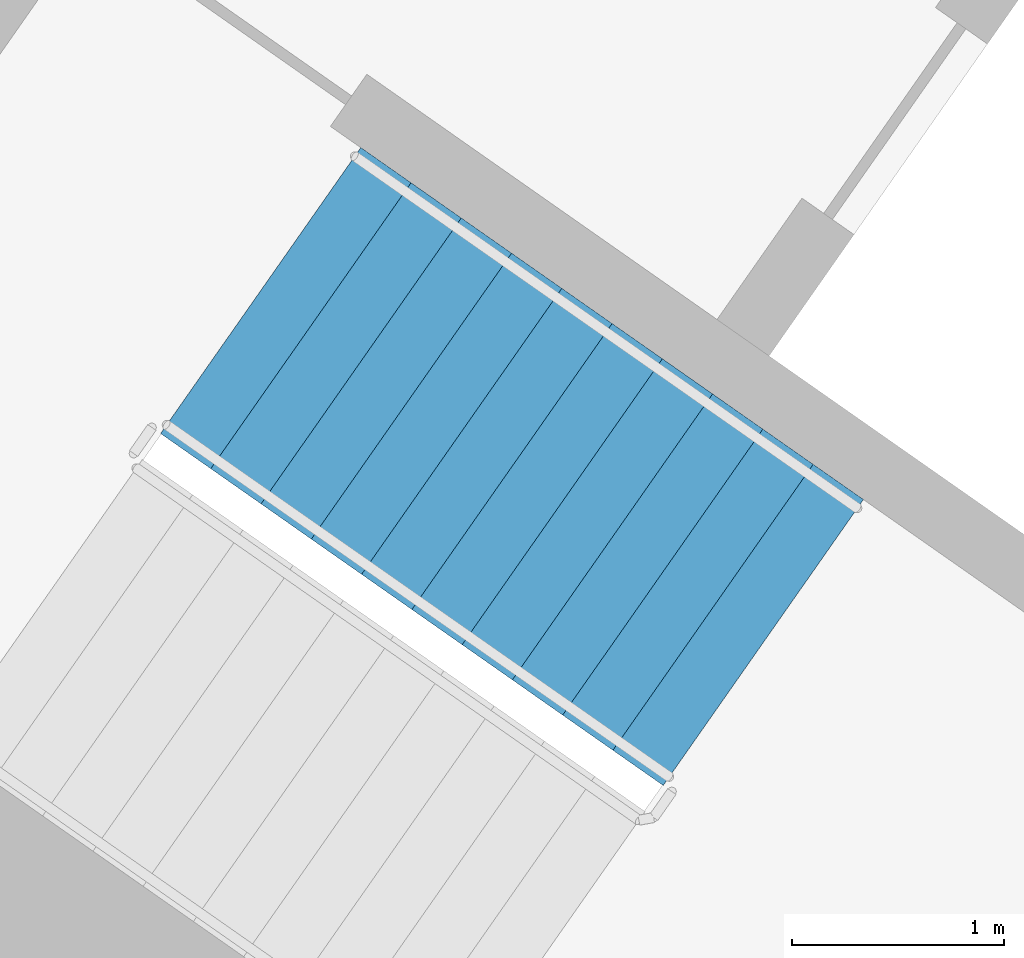
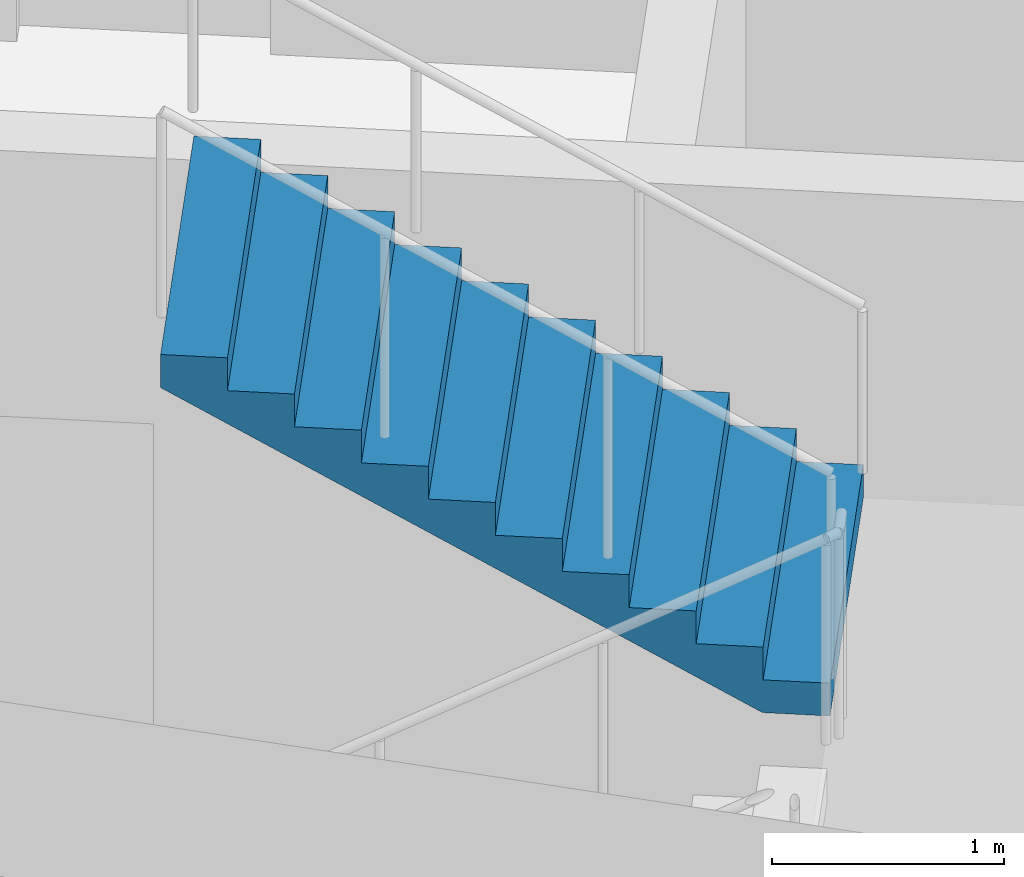
# One storey, part 11 of 29: 1 stair flight, 1 element without a shape of its own.
"""IFC4 building model written with IfcOpenShell, lengths in metres."""

from ifc_helpers import new_model, si_unit, direction, frame, origin, place, context, subcontext, project, spatial, faceted_brep, material, type_object, element, aggregate, save


model = new_model("IFC4")

# Units and contexts
model_context = context("Model", 3, precision=1e-05, world=origin(), true_north=direction((0.0, 1.0)))
body_context = subcontext(model_context, "Body", "Model", "MODEL_VIEW")
ifc_project = project(units=[si_unit("LENGTHUNIT", "METRE"), si_unit("AREAUNIT", "SQUARE_METRE"), si_unit("VOLUMEUNIT", "CUBIC_METRE"), si_unit("PLANEANGLEUNIT", "RADIAN"), si_unit("MASSUNIT", "GRAM", prefix="KILO")], contexts=[model_context])

# Site, building, storey
site_placement = place(None, origin())
site = spatial("IfcSite", under=ifc_project, at=site_placement, CompositionType="ELEMENT")
building_placement = place(site_placement, origin())
building = spatial("IfcBuilding", under=site, at=building_placement, Name="Qamariyya Broadcast Tower", CompositionType="ELEMENT")
storey_placement = place(building_placement, frame((0.0, 0.0, 106.300048828125)))
storey = spatial("IfcBuildingStorey", under=building, at=storey_placement, Name="L23", CompositionType="ELEMENT", Elevation=106.300048828125)

# Stair, stair flight
ifc_material = material(Name="Concrete C50/60", Category="concrete")
stair_type = type_object("IfcStairType", Name="Exit stair 22 risers of 173 mm", PredefinedType="HALF_TURN_STAIR", material=ifc_material)
stair_placement = place(storey_placement, origin())
stair = element("IfcStair", 1, at=stair_placement, inside=storey, type_object=stair_type, Name="L23 Stair W1", PredefinedType="HALF_TURN_STAIR")
stair_flight_type = type_object("IfcStairFlightType", Name="Exit stair flight 11 risers of 173 mm", PredefinedType="STRAIGHT", material=ifc_material)
stair_flight_placement = place(storey_placement, frame((-43.660888671875, -57.17138671875, 1.89990234375), z_axis=(0.0, 0.0, 1.0), x_axis=(-0.819152044289, 0.573576436351, 0.0)))
stair_flight = element("IfcStairFlight", 2, at=stair_flight_placement, type_object=stair_flight_type, Name="ST-W1 flight 2", NumberOfRisers=11, NumberOfTreads=10, PredefinedType="STRAIGHT", RiserHeight=0.172727273, TreadLength=0.29, context=body_context, shape_type="Brep", body=[
    faceted_brep([(0.0, 0.824951171875, 0.0), (0.0, 0.824951171875, 0.172607421875), (0.2900390625, 0.824951171875, 0.172607421875), (0.2900390625, 0.824951171875, 0.345458984375), (0.580078125, 0.824951171875, 0.345458984375), (0.580078125, 0.824951171875, 0.51806640625), (0.8701171875, 0.824951171875, 0.51806640625), (0.8701171875, 0.824951171875, 0.69091796875), (1.159912109375, 0.824951171875, 0.69091796875), (1.159912109375, 0.824951171875, 0.863525390625), (1.449951171875, 0.824951171875, 0.863525390625), (1.449951171875, 0.824951171875, 1.036376953125), (1.739990234375, 0.824951171875, 1.036376953125), (1.739990234375, 0.824951171875, 1.208984375), (2.030029296875, 0.824951171875, 1.208984375), (2.030029296875, 0.824951171875, 1.3818359375), (2.320068359375, 0.824951171875, 1.3818359375), (2.320068359375, 0.824951171875, 1.554443359375), (2.610107421875, 0.824951171875, 1.554443359375), (2.610107421875, 0.824951171875, 1.727294921875), (2.89990234375, 0.824951171875, 1.727294921875), (2.89990234375, 0.824951171875, 1.552734375), (0.29296875, 0.824951171875, 0.0), (0.29296875, -0.824951171875, 0.0), (2.89990234375, -0.824951171875, 1.552734375), (2.89990234375, -0.824951171875, 1.727294921875), (2.610107421875, -0.824951171875, 1.727294921875), (2.610107421875, -0.824951171875, 1.554443359375), (2.320068359375, -0.824951171875, 1.554443359375), (2.320068359375, -0.824951171875, 1.3818359375), (2.030029296875, -0.824951171875, 1.3818359375), (2.030029296875, -0.824951171875, 1.208984375), (1.739990234375, -0.824951171875, 1.208984375), (1.739990234375, -0.824951171875, 1.036376953125), (1.449951171875, -0.824951171875, 1.036376953125), (1.449951171875, -0.824951171875, 0.863525390625), (1.159912109375, -0.824951171875, 0.863525390625), (1.159912109375, -0.824951171875, 0.69091796875), (0.8701171875, -0.824951171875, 0.69091796875), (0.8701171875, -0.824951171875, 0.51806640625), (0.580078125, -0.824951171875, 0.51806640625), (0.580078125, -0.824951171875, 0.345458984375), (0.2900390625, -0.824951171875, 0.345458984375), (0.2900390625, -0.824951171875, 0.172607421875), (0.0, -0.824951171875, 0.172607421875), (0.0, -0.824951171875, 0.0), (0.0, 0.10009765625, 0.0), (0.0, 0.086669921875, 0.0), (0.0, 0.0732421875, 0.0), (0.0, 0.06005859375, 0.0), (0.0, 0.046630859375, 0.0), (0.0, 0.033447265625, 0.0), (0.0, 0.02001953125, 0.0), (0.0, 0.006591796875, 0.0), (0.0, -0.006591796875, 0.0), (0.0, -0.02001953125, 0.0), (0.0, -0.033447265625, 0.0), (0.0, -0.046630859375, 0.0), (0.0, -0.06005859375, 0.0), (0.0, -0.0732421875, 0.0), (0.0, -0.086669921875, 0.0), (0.0, -0.10009765625, 0.0), (0.0, -0.10009765625, 0.172607421875), (0.0, -0.086669921875, 0.172607421875), (0.0, -0.0732421875, 0.172607421875), (0.0, -0.06005859375, 0.172607421875), (0.0, -0.046630859375, 0.172607421875), (0.0, -0.033447265625, 0.172607421875), (0.0, -0.02001953125, 0.172607421875), (0.0, -0.006591796875, 0.172607421875), (0.0, 0.006591796875, 0.172607421875), (0.0, 0.02001953125, 0.172607421875), (0.0, 0.033447265625, 0.172607421875), (0.0, 0.046630859375, 0.172607421875), (0.0, 0.06005859375, 0.172607421875), (0.0, 0.0732421875, 0.172607421875), (0.0, 0.086669921875, 0.172607421875), (0.0, 0.10009765625, 0.172607421875), (0.2900390625, -0.10009765625, 0.172607421875), (0.2900390625, -0.086669921875, 0.172607421875), (0.2900390625, -0.0732421875, 0.172607421875), (0.2900390625, -0.06005859375, 0.172607421875), (0.2900390625, -0.046630859375, 0.172607421875), (0.2900390625, -0.033447265625, 0.172607421875), (0.2900390625, -0.02001953125, 0.172607421875), (0.2900390625, -0.006591796875, 0.172607421875), (0.2900390625, 0.006591796875, 0.172607421875), (0.2900390625, 0.02001953125, 0.172607421875), (0.2900390625, 0.033447265625, 0.172607421875), (0.2900390625, 0.046630859375, 0.172607421875), (0.2900390625, 0.06005859375, 0.172607421875), (0.2900390625, 0.0732421875, 0.172607421875), (0.2900390625, 0.086669921875, 0.172607421875), (0.2900390625, 0.10009765625, 0.172607421875), (0.2900390625, -0.10009765625, 0.345458984375), (0.2900390625, -0.086669921875, 0.345458984375), (0.2900390625, -0.0732421875, 0.345458984375), (0.2900390625, -0.06005859375, 0.345458984375), (0.2900390625, -0.046630859375, 0.345458984375), (0.2900390625, -0.033447265625, 0.345458984375), (0.2900390625, -0.02001953125, 0.345458984375), (0.2900390625, -0.006591796875, 0.345458984375), (0.2900390625, 0.006591796875, 0.345458984375), (0.2900390625, 0.02001953125, 0.345458984375), (0.2900390625, 0.033447265625, 0.345458984375), (0.2900390625, 0.046630859375, 0.345458984375), (0.2900390625, 0.06005859375, 0.345458984375), (0.2900390625, 0.0732421875, 0.345458984375), (0.2900390625, 0.086669921875, 0.345458984375), (0.2900390625, 0.10009765625, 0.345458984375), (0.580078125, -0.10009765625, 0.345458984375), (0.580078125, -0.086669921875, 0.345458984375), (0.580078125, -0.0732421875, 0.345458984375), (0.580078125, -0.06005859375, 0.345458984375), (0.580078125, -0.046630859375, 0.345458984375), (0.580078125, -0.033447265625, 0.345458984375), (0.580078125, -0.02001953125, 0.345458984375), (0.580078125, -0.006591796875, 0.345458984375), (0.580078125, 0.006591796875, 0.345458984375), (0.580078125, 0.02001953125, 0.345458984375), (0.580078125, 0.033447265625, 0.345458984375), (0.580078125, 0.046630859375, 0.345458984375), (0.580078125, 0.06005859375, 0.345458984375), (0.580078125, 0.0732421875, 0.345458984375), (0.580078125, 0.086669921875, 0.345458984375), (0.580078125, 0.10009765625, 0.345458984375), (0.580078125, -0.10009765625, 0.51806640625), (0.580078125, -0.086669921875, 0.51806640625), (0.580078125, -0.0732421875, 0.51806640625), (0.580078125, -0.06005859375, 0.51806640625), (0.580078125, -0.046630859375, 0.51806640625), (0.580078125, -0.033447265625, 0.51806640625), (0.580078125, -0.02001953125, 0.51806640625), (0.580078125, -0.006591796875, 0.51806640625), (0.580078125, 0.006591796875, 0.51806640625), (0.580078125, 0.02001953125, 0.51806640625), (0.580078125, 0.033447265625, 0.51806640625), (0.580078125, 0.046630859375, 0.51806640625), (0.580078125, 0.06005859375, 0.51806640625), (0.580078125, 0.0732421875, 0.51806640625), (0.580078125, 0.086669921875, 0.51806640625), (0.580078125, 0.10009765625, 0.51806640625), (0.8701171875, -0.10009765625, 0.51806640625), (0.8701171875, -0.086669921875, 0.51806640625), (0.8701171875, -0.0732421875, 0.51806640625), (0.8701171875, -0.06005859375, 0.51806640625), (0.8701171875, -0.046630859375, 0.51806640625), (0.8701171875, -0.033447265625, 0.51806640625), (0.8701171875, -0.02001953125, 0.51806640625), (0.8701171875, -0.006591796875, 0.51806640625), (0.8701171875, 0.006591796875, 0.51806640625), (0.8701171875, 0.02001953125, 0.51806640625), (0.8701171875, 0.033447265625, 0.51806640625), (0.8701171875, 0.046630859375, 0.51806640625), (0.8701171875, 0.06005859375, 0.51806640625), (0.8701171875, 0.0732421875, 0.51806640625), (0.8701171875, 0.086669921875, 0.51806640625), (0.8701171875, 0.10009765625, 0.51806640625), (0.8701171875, -0.10009765625, 0.69091796875), (0.8701171875, -0.086669921875, 0.69091796875), (0.8701171875, -0.0732421875, 0.69091796875), (0.8701171875, -0.06005859375, 0.69091796875), (0.8701171875, -0.046630859375, 0.69091796875), (0.8701171875, -0.033447265625, 0.69091796875), (0.8701171875, -0.02001953125, 0.69091796875), (0.8701171875, -0.006591796875, 0.69091796875), (0.8701171875, 0.006591796875, 0.69091796875), (0.8701171875, 0.02001953125, 0.69091796875), (0.8701171875, 0.033447265625, 0.69091796875), (0.8701171875, 0.046630859375, 0.69091796875), (0.8701171875, 0.06005859375, 0.69091796875), (0.8701171875, 0.0732421875, 0.69091796875), (0.8701171875, 0.086669921875, 0.69091796875), (0.8701171875, 0.10009765625, 0.69091796875), (1.159912109375, -0.10009765625, 0.69091796875), (1.159912109375, -0.086669921875, 0.69091796875), (1.159912109375, -0.0732421875, 0.69091796875), (1.159912109375, -0.06005859375, 0.69091796875), (1.159912109375, -0.046630859375, 0.69091796875), (1.159912109375, -0.033447265625, 0.69091796875), (1.159912109375, -0.02001953125, 0.69091796875), (1.159912109375, -0.006591796875, 0.69091796875), (1.159912109375, 0.006591796875, 0.69091796875), (1.159912109375, 0.02001953125, 0.69091796875), (1.159912109375, 0.033447265625, 0.69091796875), (1.159912109375, 0.046630859375, 0.69091796875), (1.159912109375, 0.06005859375, 0.69091796875), (1.159912109375, 0.0732421875, 0.69091796875), (1.159912109375, 0.086669921875, 0.69091796875), (1.159912109375, 0.10009765625, 0.69091796875), (1.159912109375, -0.10009765625, 0.863525390625), (1.159912109375, -0.086669921875, 0.863525390625), (1.159912109375, -0.0732421875, 0.863525390625), (1.159912109375, -0.06005859375, 0.863525390625), (1.159912109375, -0.046630859375, 0.863525390625), (1.159912109375, -0.033447265625, 0.863525390625), (1.159912109375, -0.02001953125, 0.863525390625), (1.159912109375, -0.006591796875, 0.863525390625), (1.159912109375, 0.006591796875, 0.863525390625), (1.159912109375, 0.02001953125, 0.863525390625), (1.159912109375, 0.033447265625, 0.863525390625), (1.159912109375, 0.046630859375, 0.863525390625), (1.159912109375, 0.06005859375, 0.863525390625), (1.159912109375, 0.0732421875, 0.863525390625), (1.159912109375, 0.086669921875, 0.863525390625), (1.159912109375, 0.10009765625, 0.863525390625), (1.449951171875, -0.10009765625, 0.863525390625), (1.449951171875, -0.086669921875, 0.863525390625), (1.449951171875, -0.0732421875, 0.863525390625), (1.449951171875, -0.06005859375, 0.863525390625), (1.449951171875, -0.046630859375, 0.863525390625), (1.449951171875, -0.033447265625, 0.863525390625), (1.449951171875, -0.02001953125, 0.863525390625), (1.449951171875, -0.006591796875, 0.863525390625), (1.449951171875, 0.006591796875, 0.863525390625), (1.449951171875, 0.02001953125, 0.863525390625), (1.449951171875, 0.033447265625, 0.863525390625), (1.449951171875, 0.046630859375, 0.863525390625), (1.449951171875, 0.06005859375, 0.863525390625), (1.449951171875, 0.0732421875, 0.863525390625), (1.449951171875, 0.086669921875, 0.863525390625), (1.449951171875, 0.10009765625, 0.863525390625), (1.449951171875, -0.10009765625, 1.036376953125), (1.449951171875, -0.086669921875, 1.036376953125), (1.449951171875, -0.0732421875, 1.036376953125), (1.449951171875, -0.06005859375, 1.036376953125), (1.449951171875, -0.046630859375, 1.036376953125), (1.449951171875, -0.033447265625, 1.036376953125), (1.449951171875, -0.02001953125, 1.036376953125), (1.449951171875, -0.006591796875, 1.036376953125), (1.449951171875, 0.006591796875, 1.036376953125), (1.449951171875, 0.02001953125, 1.036376953125), (1.449951171875, 0.033447265625, 1.036376953125), (1.449951171875, 0.046630859375, 1.036376953125), (1.449951171875, 0.06005859375, 1.036376953125), (1.449951171875, 0.0732421875, 1.036376953125), (1.449951171875, 0.086669921875, 1.036376953125), (1.449951171875, 0.10009765625, 1.036376953125), (1.739990234375, -0.10009765625, 1.036376953125), (1.739990234375, -0.086669921875, 1.036376953125), (1.739990234375, -0.0732421875, 1.036376953125), (1.739990234375, -0.06005859375, 1.036376953125), (1.739990234375, -0.046630859375, 1.036376953125), (1.739990234375, -0.033447265625, 1.036376953125), (1.739990234375, -0.02001953125, 1.036376953125), (1.739990234375, -0.006591796875, 1.036376953125), (1.739990234375, 0.006591796875, 1.036376953125), (1.739990234375, 0.02001953125, 1.036376953125), (1.739990234375, 0.033447265625, 1.036376953125), (1.739990234375, 0.046630859375, 1.036376953125), (1.739990234375, 0.06005859375, 1.036376953125), (1.739990234375, 0.0732421875, 1.036376953125), (1.739990234375, 0.086669921875, 1.036376953125), (1.739990234375, 0.10009765625, 1.036376953125), (1.739990234375, -0.10009765625, 1.208984375), (1.739990234375, -0.086669921875, 1.208984375), (1.739990234375, -0.0732421875, 1.208984375), (1.739990234375, -0.06005859375, 1.208984375), (1.739990234375, -0.046630859375, 1.208984375), (1.739990234375, -0.033447265625, 1.208984375), (1.739990234375, -0.02001953125, 1.208984375), (1.739990234375, -0.006591796875, 1.208984375), (1.739990234375, 0.006591796875, 1.208984375), (1.739990234375, 0.02001953125, 1.208984375), (1.739990234375, 0.033447265625, 1.208984375), (1.739990234375, 0.046630859375, 1.208984375), (1.739990234375, 0.06005859375, 1.208984375), (1.739990234375, 0.0732421875, 1.208984375), (1.739990234375, 0.086669921875, 1.208984375), (1.739990234375, 0.10009765625, 1.208984375), (2.030029296875, -0.10009765625, 1.208984375), (2.030029296875, -0.086669921875, 1.208984375), (2.030029296875, -0.0732421875, 1.208984375), (2.030029296875, -0.06005859375, 1.208984375), (2.030029296875, -0.046630859375, 1.208984375), (2.030029296875, -0.033447265625, 1.208984375), (2.030029296875, -0.02001953125, 1.208984375), (2.030029296875, -0.006591796875, 1.208984375), (2.030029296875, 0.006591796875, 1.208984375), (2.030029296875, 0.02001953125, 1.208984375), (2.030029296875, 0.033447265625, 1.208984375), (2.030029296875, 0.046630859375, 1.208984375), (2.030029296875, 0.06005859375, 1.208984375), (2.030029296875, 0.0732421875, 1.208984375), (2.030029296875, 0.086669921875, 1.208984375), (2.030029296875, 0.10009765625, 1.208984375), (2.030029296875, -0.10009765625, 1.3818359375), (2.030029296875, -0.086669921875, 1.3818359375), (2.030029296875, -0.0732421875, 1.3818359375), (2.030029296875, -0.06005859375, 1.3818359375), (2.030029296875, -0.046630859375, 1.3818359375), (2.030029296875, -0.033447265625, 1.3818359375), (2.030029296875, -0.02001953125, 1.3818359375), (2.030029296875, -0.006591796875, 1.3818359375), (2.030029296875, 0.006591796875, 1.3818359375), (2.030029296875, 0.02001953125, 1.3818359375), (2.030029296875, 0.033447265625, 1.3818359375), (2.030029296875, 0.046630859375, 1.3818359375), (2.030029296875, 0.06005859375, 1.3818359375), (2.030029296875, 0.0732421875, 1.3818359375), (2.030029296875, 0.086669921875, 1.3818359375), (2.030029296875, 0.10009765625, 1.3818359375), (2.320068359375, -0.10009765625, 1.3818359375), (2.320068359375, -0.086669921875, 1.3818359375), (2.320068359375, -0.0732421875, 1.3818359375), (2.320068359375, -0.06005859375, 1.3818359375), (2.320068359375, -0.046630859375, 1.3818359375), (2.320068359375, -0.033447265625, 1.3818359375), (2.320068359375, -0.02001953125, 1.3818359375), (2.320068359375, -0.006591796875, 1.3818359375), (2.320068359375, 0.006591796875, 1.3818359375), (2.320068359375, 0.02001953125, 1.3818359375), (2.320068359375, 0.033447265625, 1.3818359375), (2.320068359375, 0.046630859375, 1.3818359375), (2.320068359375, 0.06005859375, 1.3818359375), (2.320068359375, 0.0732421875, 1.3818359375), (2.320068359375, 0.086669921875, 1.3818359375), (2.320068359375, 0.10009765625, 1.3818359375), (2.320068359375, -0.10009765625, 1.554443359375), (2.320068359375, -0.086669921875, 1.554443359375), (2.320068359375, -0.0732421875, 1.554443359375), (2.320068359375, -0.06005859375, 1.554443359375), (2.320068359375, -0.046630859375, 1.554443359375), (2.320068359375, -0.033447265625, 1.554443359375), (2.320068359375, -0.02001953125, 1.554443359375), (2.320068359375, -0.006591796875, 1.554443359375), (2.320068359375, 0.006591796875, 1.554443359375), (2.320068359375, 0.02001953125, 1.554443359375), (2.320068359375, 0.033447265625, 1.554443359375), (2.320068359375, 0.046630859375, 1.554443359375), (2.320068359375, 0.06005859375, 1.554443359375), (2.320068359375, 0.0732421875, 1.554443359375), (2.320068359375, 0.086669921875, 1.554443359375), (2.320068359375, 0.10009765625, 1.554443359375), (2.610107421875, -0.10009765625, 1.554443359375), (2.610107421875, -0.086669921875, 1.554443359375), (2.610107421875, -0.0732421875, 1.554443359375), (2.610107421875, -0.06005859375, 1.554443359375), (2.610107421875, -0.046630859375, 1.554443359375), (2.610107421875, -0.033447265625, 1.554443359375), (2.610107421875, -0.02001953125, 1.554443359375), (2.610107421875, -0.006591796875, 1.554443359375), (2.610107421875, 0.006591796875, 1.554443359375), (2.610107421875, 0.02001953125, 1.554443359375), (2.610107421875, 0.033447265625, 1.554443359375), (2.610107421875, 0.046630859375, 1.554443359375), (2.610107421875, 0.06005859375, 1.554443359375), (2.610107421875, 0.0732421875, 1.554443359375), (2.610107421875, 0.086669921875, 1.554443359375), (2.610107421875, 0.10009765625, 1.554443359375), (2.610107421875, -0.10009765625, 1.727294921875), (2.610107421875, -0.086669921875, 1.727294921875), (2.610107421875, -0.0732421875, 1.727294921875), (2.610107421875, -0.06005859375, 1.727294921875), (2.610107421875, -0.046630859375, 1.727294921875), (2.610107421875, -0.033447265625, 1.727294921875), (2.610107421875, -0.02001953125, 1.727294921875), (2.610107421875, -0.006591796875, 1.727294921875), (2.610107421875, 0.006591796875, 1.727294921875), (2.610107421875, 0.02001953125, 1.727294921875), (2.610107421875, 0.033447265625, 1.727294921875), (2.610107421875, 0.046630859375, 1.727294921875), (2.610107421875, 0.06005859375, 1.727294921875), (2.610107421875, 0.0732421875, 1.727294921875), (2.610107421875, 0.086669921875, 1.727294921875), (2.610107421875, 0.10009765625, 1.727294921875), (2.89990234375, -0.10009765625, 1.727294921875), (2.89990234375, -0.086669921875, 1.727294921875), (2.89990234375, -0.0732421875, 1.727294921875), (2.89990234375, -0.06005859375, 1.727294921875), (2.89990234375, -0.046630859375, 1.727294921875), (2.89990234375, -0.033447265625, 1.727294921875), (2.89990234375, -0.02001953125, 1.727294921875), (2.89990234375, -0.006591796875, 1.727294921875), (2.89990234375, 0.006591796875, 1.727294921875), (2.89990234375, 0.02001953125, 1.727294921875), (2.89990234375, 0.033447265625, 1.727294921875), (2.89990234375, 0.046630859375, 1.727294921875), (2.89990234375, 0.06005859375, 1.727294921875), (2.89990234375, 0.0732421875, 1.727294921875), (2.89990234375, 0.086669921875, 1.727294921875), (2.89990234375, 0.10009765625, 1.727294921875), (2.89990234375, -0.10009765625, 1.552734375), (2.89990234375, -0.086669921875, 1.552734375), (2.89990234375, -0.0732421875, 1.552734375), (2.89990234375, -0.06005859375, 1.552734375), (2.89990234375, -0.046630859375, 1.552734375), (2.89990234375, -0.033447265625, 1.552734375), (2.89990234375, -0.02001953125, 1.552734375), (2.89990234375, -0.006591796875, 1.552734375), (2.89990234375, 0.006591796875, 1.552734375), (2.89990234375, 0.02001953125, 1.552734375), (2.89990234375, 0.033447265625, 1.552734375), (2.89990234375, 0.046630859375, 1.552734375), (2.89990234375, 0.06005859375, 1.552734375), (2.89990234375, 0.0732421875, 1.552734375), (2.89990234375, 0.086669921875, 1.552734375), (2.89990234375, 0.10009765625, 1.552734375), (0.29296875, -0.10009765625, 0.0), (0.29296875, -0.086669921875, 0.0), (0.29296875, -0.0732421875, 0.0), (0.29296875, -0.06005859375, 0.0), (0.29296875, -0.046630859375, 0.0), (0.29296875, -0.033447265625, 0.0), (0.29296875, -0.02001953125, 0.0), (0.29296875, -0.006591796875, 0.0), (0.29296875, 0.006591796875, 0.0), (0.29296875, 0.02001953125, 0.0), (0.29296875, 0.033447265625, 0.0), (0.29296875, 0.046630859375, 0.0), (0.29296875, 0.06005859375, 0.0), (0.29296875, 0.0732421875, 0.0), (0.29296875, 0.086669921875, 0.0), (0.29296875, 0.10009765625, 0.0)], [[[0, 1, 2, 3, 4, 5, 6, 7, 8, 9, 10, 11, 12, 13, 14, 15, 16, 17, 18, 19, 20, 21, 22]], [[23, 24, 25, 26, 27, 28, 29, 30, 31, 32, 33, 34, 35, 36, 37, 38, 39, 40, 41, 42, 43, 44, 45]], [[0, 46, 47, 48, 49, 50, 51, 52, 53, 54, 55, 56, 57, 58, 59, 60, 61, 45, 44, 62, 63, 64, 65, 66, 67, 68, 69, 70, 71, 72, 73, 74, 75, 76, 77, 1]], [[1, 77, 76, 75, 74, 73, 72, 71, 70, 69, 68, 67, 66, 65, 64, 63, 62, 44, 43, 78, 79, 80, 81, 82, 83, 84, 85, 86, 87, 88, 89, 90, 91, 92, 93, 2]], [[2, 93, 92, 91, 90, 89, 88, 87, 86, 85, 84, 83, 82, 81, 80, 79, 78, 43, 42, 94, 95, 96, 97, 98, 99, 100, 101, 102, 103, 104, 105, 106, 107, 108, 109, 3]], [[3, 109, 108, 107, 106, 105, 104, 103, 102, 101, 100, 99, 98, 97, 96, 95, 94, 42, 41, 110, 111, 112, 113, 114, 115, 116, 117, 118, 119, 120, 121, 122, 123, 124, 125, 4]], [[4, 125, 124, 123, 122, 121, 120, 119, 118, 117, 116, 115, 114, 113, 112, 111, 110, 41, 40, 126, 127, 128, 129, 130, 131, 132, 133, 134, 135, 136, 137, 138, 139, 140, 141, 5]], [[5, 141, 140, 139, 138, 137, 136, 135, 134, 133, 132, 131, 130, 129, 128, 127, 126, 40, 39, 142, 143, 144, 145, 146, 147, 148, 149, 150, 151, 152, 153, 154, 155, 156, 157, 6]], [[6, 157, 156, 155, 154, 153, 152, 151, 150, 149, 148, 147, 146, 145, 144, 143, 142, 39, 38, 158, 159, 160, 161, 162, 163, 164, 165, 166, 167, 168, 169, 170, 171, 172, 173, 7]], [[7, 173, 172, 171, 170, 169, 168, 167, 166, 165, 164, 163, 162, 161, 160, 159, 158, 38, 37, 174, 175, 176, 177, 178, 179, 180, 181, 182, 183, 184, 185, 186, 187, 188, 189, 8]], [[8, 189, 188, 187, 186, 185, 184, 183, 182, 181, 180, 179, 178, 177, 176, 175, 174, 37, 36, 190, 191, 192, 193, 194, 195, 196, 197, 198, 199, 200, 201, 202, 203, 204, 205, 9]], [[9, 205, 204, 203, 202, 201, 200, 199, 198, 197, 196, 195, 194, 193, 192, 191, 190, 36, 35, 206, 207, 208, 209, 210, 211, 212, 213, 214, 215, 216, 217, 218, 219, 220, 221, 10]], [[10, 221, 220, 219, 218, 217, 216, 215, 214, 213, 212, 211, 210, 209, 208, 207, 206, 35, 34, 222, 223, 224, 225, 226, 227, 228, 229, 230, 231, 232, 233, 234, 235, 236, 237, 11]], [[11, 237, 236, 235, 234, 233, 232, 231, 230, 229, 228, 227, 226, 225, 224, 223, 222, 34, 33, 238, 239, 240, 241, 242, 243, 244, 245, 246, 247, 248, 249, 250, 251, 252, 253, 12]], [[12, 253, 252, 251, 250, 249, 248, 247, 246, 245, 244, 243, 242, 241, 240, 239, 238, 33, 32, 254, 255, 256, 257, 258, 259, 260, 261, 262, 263, 264, 265, 266, 267, 268, 269, 13]], [[13, 269, 268, 267, 266, 265, 264, 263, 262, 261, 260, 259, 258, 257, 256, 255, 254, 32, 31, 270, 271, 272, 273, 274, 275, 276, 277, 278, 279, 280, 281, 282, 283, 284, 285, 14]], [[14, 285, 284, 283, 282, 281, 280, 279, 278, 277, 276, 275, 274, 273, 272, 271, 270, 31, 30, 286, 287, 288, 289, 290, 291, 292, 293, 294, 295, 296, 297, 298, 299, 300, 301, 15]], [[15, 301, 300, 299, 298, 297, 296, 295, 294, 293, 292, 291, 290, 289, 288, 287, 286, 30, 29, 302, 303, 304, 305, 306, 307, 308, 309, 310, 311, 312, 313, 314, 315, 316, 317, 16]], [[16, 317, 316, 315, 314, 313, 312, 311, 310, 309, 308, 307, 306, 305, 304, 303, 302, 29, 28, 318, 319, 320, 321, 322, 323, 324, 325, 326, 327, 328, 329, 330, 331, 332, 333, 17]], [[17, 333, 332, 331, 330, 329, 328, 327, 326, 325, 324, 323, 322, 321, 320, 319, 318, 28, 27, 334, 335, 336, 337, 338, 339, 340, 341, 342, 343, 344, 345, 346, 347, 348, 349, 18]], [[18, 349, 348, 347, 346, 345, 344, 343, 342, 341, 340, 339, 338, 337, 336, 335, 334, 27, 26, 350, 351, 352, 353, 354, 355, 356, 357, 358, 359, 360, 361, 362, 363, 364, 365, 19]], [[19, 365, 364, 363, 362, 361, 360, 359, 358, 357, 356, 355, 354, 353, 352, 351, 350, 26, 25, 366, 367, 368, 369, 370, 371, 372, 373, 374, 375, 376, 377, 378, 379, 380, 381, 20]], [[20, 381, 380, 379, 378, 377, 376, 375, 374, 373, 372, 371, 370, 369, 368, 367, 366, 25, 24, 382, 383, 384, 385, 386, 387, 388, 389, 390, 391, 392, 393, 394, 395, 396, 397, 21]], [[21, 397, 396, 395, 394, 393, 392, 391, 390, 389, 388, 387, 386, 385, 384, 383, 382, 24, 23, 398, 399, 400, 401, 402, 403, 404, 405, 406, 407, 408, 409, 410, 411, 412, 413, 22]], [[22, 413, 412, 411, 410, 409, 408, 407, 406, 405, 404, 403, 402, 401, 400, 399, 398, 23, 45, 61, 60, 59, 58, 57, 56, 55, 54, 53, 52, 51, 50, 49, 48, 47, 46, 0]]]),
])
aggregate(stair, [stair_flight])

save(model, "model.ifc")
